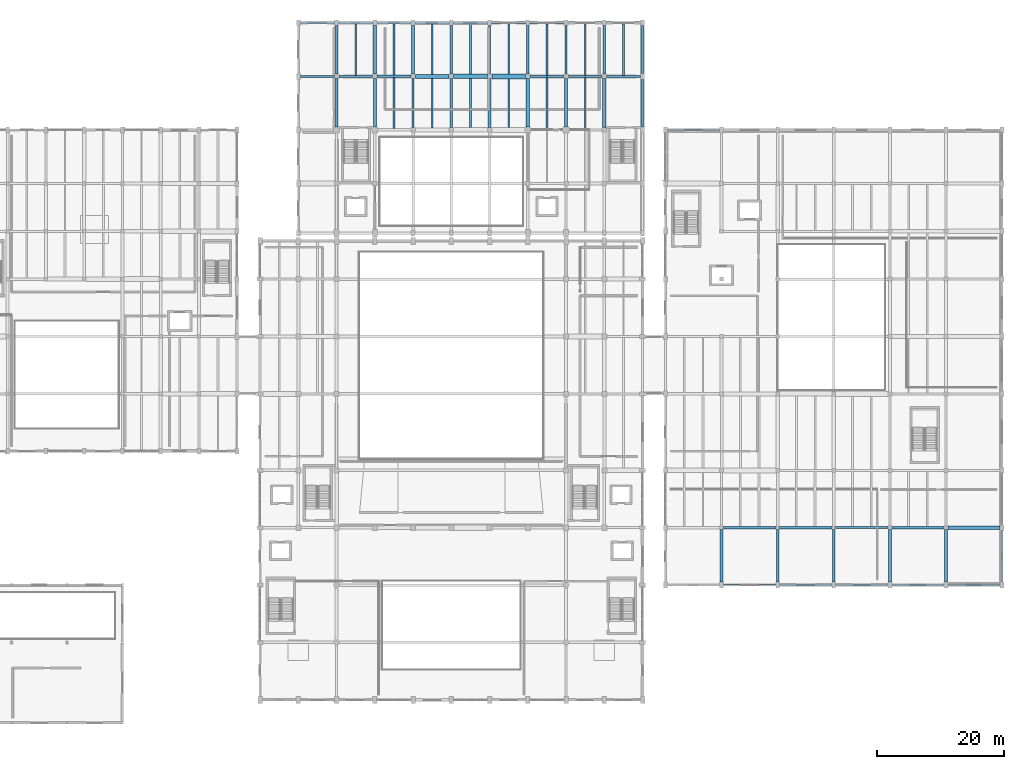
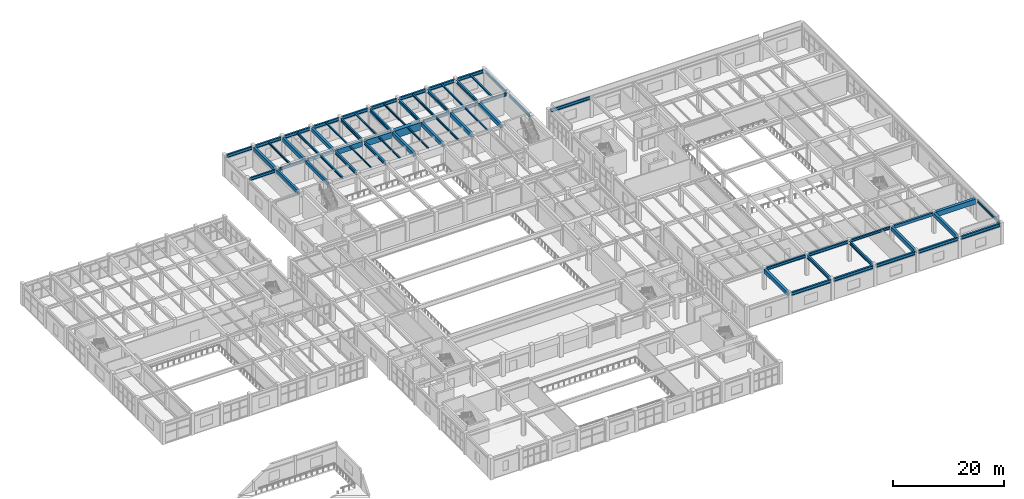
# One storey, part 52 of 96: 67 beams.
"""IFC4 building model written with IfcOpenShell, lengths in metres."""

from ifc_helpers import new_model, si_unit, direction, frame, origin, origin_2d, place, context, subcontext, project, spatial, rectangle, i_section, extrude, material, material_profile, profile_set, type_object, element, save


model = new_model("IFC4")

# Units and contexts
model_context = context("Model", 3, precision=1e-05, world=origin(), true_north=direction((0.0, 1.0)))
body_context = subcontext(model_context, "Body", "Model", "MODEL_VIEW")
ifc_project = project(units=[si_unit("LENGTHUNIT", "METRE"), si_unit("AREAUNIT", "SQUARE_METRE"), si_unit("VOLUMEUNIT", "CUBIC_METRE"), si_unit("PLANEANGLEUNIT", "RADIAN"), si_unit("MASSUNIT", "GRAM", prefix="KILO")], contexts=[model_context])

# Site, building, storey
site_placement = place(None, origin())
site = spatial("IfcSite", under=ifc_project, at=site_placement, CompositionType="ELEMENT")
building_placement = place(site_placement, origin())
building = spatial("IfcBuilding", under=site, at=building_placement, Name="Vaelkrest Opera House", CompositionType="ELEMENT")
storey_placement = place(building_placement, frame((0.0, 0.0, 5.39990234375)))
storey = spatial("IfcBuildingStorey", under=building, at=storey_placement, Name="L01", CompositionType="ELEMENT", Elevation=5.39990234375)

# Beams
ifc_material_1 = material(Name="Concrete C50/60", Category="concrete")
ifc_material_profile_1 = material_profile(ifc_material_1, rectangle(XDim=0.39990234375, YDim=0.64990234375, at=origin_2d()), Name="RCB400X650")
ifc_profile_set_1 = profile_set([ifc_material_profile_1], Name="Concrete C50/60")
beam_type_1 = type_object("IfcBeamType", Name="B01", PredefinedType="BEAM", material=ifc_profile_set_1)
beam_1_placement = place(storey_placement, frame((-11.64990234375, 42.0, 4.175048828125), z_axis=(1.0, 0.0, 0.0), x_axis=(0.0, 1.0, 0.0)))
element("IfcBeam", 1, at=beam_1_placement, inside=storey, type_object=beam_type_1, Name="Beam BM-V2-L01-0885", PredefinedType="BEAM", context=body_context, shape_type="SweptSolid", body=[
    extrude(rectangle(XDim=0.39990234375, YDim=0.64990234375, at=origin_2d()), origin(), (0.0, 0.0, 1.0), 5.2998046875),
])
beam_2_placement = place(storey_placement, frame((69.10009765625, -28.800048828125, 4.175048828125), z_axis=(1.0, 0.0, 0.0), x_axis=(0.0, 1.0, 0.0)))
element("IfcBeam", 2, at=beam_2_placement, inside=storey, type_object=beam_type_1, Name="Beam BM-V4-L01-2125", PredefinedType="BEAM", context=body_context, shape_type="SweptSolid", body=[
    extrude(rectangle(XDim=0.39990234375, YDim=0.64990234375, at=origin_2d()), origin(), (0.0, 0.0, 1.0), 8.199951171875),
])
ifc_material_profile_2 = material_profile(ifc_material_1, rectangle(XDim=0.449951171875, YDim=0.75, at=origin_2d()), Name="RCB450X750")
ifc_profile_set_2 = profile_set([ifc_material_profile_2], Name="Concrete C50/60")
beam_type_2 = type_object("IfcBeamType", Name="B02", PredefinedType="BEAM", material=ifc_profile_set_2)
for number, where, z_axis, x_axis, name in (
    (3, (-18.0, 34.050048828125, 4.125), (0.0, 1.0, 0.0), (-1.0, 0.0, 0.0), "Beam BM-V2-L01-0907"),
    (4, (-12.0, 34.050048828125, 4.125), (0.0, 1.0, 0.0), (-1.0, 0.0, 0.0), "Beam BM-V2-L01-0911"),
    (5, (-6.0, 42.35009765625, 4.125), (0.0, 1.0, 0.0), (-1.0, 0.0, 0.0), "Beam BM-V2-L01-0915"),
):
    element("IfcBeam", number, at=place(storey_placement, frame(where, z_axis=z_axis, x_axis=x_axis)), inside=storey, type_object=beam_type_2, Name=name, PredefinedType="BEAM", context=body_context, shape_type="SweptSolid", body=[
        extrude(rectangle(XDim=0.449951171875, YDim=0.75, at=origin_2d()), origin(), (0.0, 0.0, 1.0), 7.599853515625),
    ])
ifc_material_profile_3 = material_profile(ifc_material_1, rectangle(XDim=0.5, YDim=0.85009765625, at=origin_2d()), Name="RCB500X850")
ifc_profile_set_3 = profile_set([ifc_material_profile_3], Name="Concrete C50/60")
beam_type_3 = type_object("IfcBeamType", Name="B03", PredefinedType="BEAM", material=ifc_profile_set_3)
for number, where, z_axis, x_axis, name in (
    (6, (-18.0, 42.35009765625, 4.0751953125), (0.0, 1.0, 0.0), (-1.0, 0.0, 0.0), "Beam BM-V2-L01-0908"),
    (7, (-12.0, 42.35009765625, 4.0751953125), (0.0, 1.0, 0.0), (-1.0, 0.0, 0.0), "Beam BM-V2-L01-0912"),
):
    element("IfcBeam", number, at=place(storey_placement, frame(where, z_axis=z_axis, x_axis=x_axis)), inside=storey, type_object=beam_type_3, Name=name, PredefinedType="BEAM", context=body_context, shape_type="SweptSolid", body=[
        extrude(rectangle(XDim=0.5, YDim=0.85009765625, at=origin_2d()), origin(), (0.0, 0.0, 1.0), 7.599853515625),
    ])
beam_3_placement = place(storey_placement, frame((6.0, 33.949951171875, 4.0751953125), z_axis=(0.0, 1.0, 0.0), x_axis=(-1.0, 0.0, 0.0)))
element("IfcBeam", 8, at=beam_3_placement, inside=storey, type_object=beam_type_3, Name="Beam BM-V2-L01-0920", PredefinedType="BEAM", context=body_context, shape_type="SweptSolid", body=[
    extrude(rectangle(XDim=0.5, YDim=0.85009765625, at=origin_2d()), origin(), (0.0, 0.0, 1.0), 7.699951171875),
])
for number, where, z_axis, x_axis, name in (
    (9, (12.0, 34.050048828125, 4.0751953125), (0.0, 1.0, 0.0), (-1.0, 0.0, 0.0), "Beam BM-V2-L01-0924"),
    (10, (18.0, 34.050048828125, 4.0751953125), (0.0, 1.0, 0.0), (-1.0, 0.0, 0.0), "Beam BM-V2-L01-0928"),
):
    element("IfcBeam", number, at=place(storey_placement, frame(where, z_axis=z_axis, x_axis=x_axis)), inside=storey, type_object=beam_type_3, Name=name, PredefinedType="BEAM", context=body_context, shape_type="SweptSolid", body=[
        extrude(rectangle(XDim=0.5, YDim=0.85009765625, at=origin_2d()), origin(), (0.0, 0.0, 1.0), 7.599853515625),
    ])
beam_4_placement = place(storey_placement, frame((24.0, 33.949951171875, 4.0751953125), z_axis=(0.0, 1.0, 0.0), x_axis=(-1.0, 0.0, 0.0)))
element("IfcBeam", 11, at=beam_4_placement, inside=storey, type_object=beam_type_3, Name="Beam BM-V2-L01-0932", PredefinedType="BEAM", context=body_context, shape_type="SweptSolid", body=[
    extrude(rectangle(XDim=0.5, YDim=0.85009765625, at=origin_2d()), origin(), (0.0, 0.0, 1.0), 7.699951171875),
])
for number, where, z_axis, x_axis, name in (
    (12, (42.39990234375, -37.35009765625, 4.080078125), (0.0, 1.0, 0.0), (-1.0, 0.0, 0.0), "Beam BM-V4-L01-2172"),
    (13, (68.800048828125, -37.35009765625, 4.080078125), (0.0, 1.0, 0.0), (-1.0, 0.0, 0.0), "Beam BM-V4-L01-2192"),
    (14, (77.60009765625, -37.35009765625, 4.080078125), (0.0, 1.0, 0.0), (-1.0, 0.0, 0.0), "Beam BM-V4-L01-2200"),
):
    element("IfcBeam", number, at=place(storey_placement, frame(where, z_axis=z_axis, x_axis=x_axis)), inside=storey, type_object=beam_type_3, Name=name, PredefinedType="BEAM", context=body_context, shape_type="SweptSolid", body=[
        extrude(rectangle(XDim=0.5, YDim=0.85009765625, at=origin_2d()), origin(), (0.0, 0.0, 1.0), 8.25),
    ])
ifc_material_profile_4 = material_profile(ifc_material_1, rectangle(XDim=0.60009765625, YDim=1.10009765625, at=origin_2d()), Name="RCB600X1100")
ifc_profile_set_4 = profile_set([ifc_material_profile_4], Name="Concrete C50/60")
beam_type_4 = type_object("IfcBeamType", Name="B05", PredefinedType="BEAM", material=ifc_profile_set_4)
beam_5_placement = place(storey_placement, frame((-5.64990234375, 42.0, 3.9501953125), z_axis=(1.0, 0.0, 0.0), x_axis=(0.0, 1.0, 0.0)))
element("IfcBeam", 15, at=beam_5_placement, inside=storey, type_object=beam_type_4, Name="Beam BM-V2-L01-0886", PredefinedType="BEAM", context=body_context, shape_type="SweptSolid", body=[
    extrude(rectangle(XDim=0.60009765625, YDim=1.10009765625, at=origin_2d()), origin(), (0.0, 0.0, 1.0), 5.2998046875),
])
beam_6_placement = place(storey_placement, frame((77.89990234375, -28.800048828125, 3.955078125), z_axis=(1.0, 0.0, 0.0), x_axis=(0.0, 1.0, 0.0)))
element("IfcBeam", 16, at=beam_6_placement, inside=storey, type_object=beam_type_4, Name="Beam BM-V4-L01-2126", PredefinedType="BEAM", context=body_context, shape_type="SweptSolid", body=[
    extrude(rectangle(XDim=0.60009765625, YDim=1.10009765625, at=origin_2d()), origin(), (0.0, 0.0, 1.0), 8.2001953125),
])
ifc_material_profile_5 = material_profile(ifc_material_1, rectangle(XDim=0.699951171875, YDim=1.35009765625, at=origin_2d()), Name="RCB700X1350")
ifc_profile_set_5 = profile_set([ifc_material_profile_5], Name="Concrete C50/60")
beam_type_5 = type_object("IfcBeamType", Name="B06", PredefinedType="BEAM", material=ifc_profile_set_5)
beam_7_placement = place(storey_placement, frame((0.35009765625, 42.0, 3.8251953125), z_axis=(1.0, 0.0, 0.0), x_axis=(0.0, 1.0, 0.0)))
element("IfcBeam", 17, at=beam_7_placement, inside=storey, type_object=beam_type_5, Name="Beam BM-V2-L01-0887", PredefinedType="BEAM", context=body_context, shape_type="SweptSolid", body=[
    extrude(rectangle(XDim=0.699951171875, YDim=1.35009765625, at=origin_2d()), origin(), (0.0, 0.0, 1.0), 5.2998046875),
])
ifc_material_profile_6 = material_profile(ifc_material_1, rectangle(XDim=0.800048828125, YDim=1.64990234375, at=origin_2d()), Name="RCB800X1650")
ifc_profile_set_6 = profile_set([ifc_material_profile_6], Name="Concrete C50/60")
beam_type_6 = type_object("IfcBeamType", Name="B07", PredefinedType="BEAM", material=ifc_profile_set_6)
beam_8_placement = place(storey_placement, frame((6.35009765625, 42.0, 3.675048828125), z_axis=(1.0, 0.0, 0.0), x_axis=(0.0, 1.0, 0.0)))
element("IfcBeam", 18, at=beam_8_placement, inside=storey, type_object=beam_type_6, Name="Beam BM-V2-L01-0888", PredefinedType="BEAM", context=body_context, shape_type="SweptSolid", body=[
    extrude(rectangle(XDim=0.800048828125, YDim=1.64990234375, at=origin_2d()), origin(), (0.0, 0.0, 1.0), 5.2998046875),
])
ifc_material_2 = material(Name="Steel A992 Gr50", Category="steel")
ifc_material_profile_7 = material_profile(ifc_material_2, i_section(OverallWidth=0.323974609375, OverallDepth=0.611083984375, WebThickness=0.0126953125, FlangeThickness=0.01904296875, at=origin_2d()), Name="W24X104")
ifc_profile_set_7 = profile_set([ifc_material_profile_7], Name="Steel A992 Gr50")
beam_type_7 = type_object("IfcBeamType", Name="B08", PredefinedType="BEAM", material=ifc_profile_set_7)
beam_9_placement = place(storey_placement, frame((12.35009765625, 42.0, 4.194580078125), z_axis=(1.0, 0.0, 0.0), x_axis=(0.0, 1.0, 0.0)))
element("IfcBeam", 19, at=beam_9_placement, inside=storey, type_object=beam_type_7, Name="Beam BM-V2-L01-0889", PredefinedType="BEAM", context=body_context, shape_type="SweptSolid", body=[
    extrude(i_section(OverallWidth=0.323974609375, OverallDepth=0.611083984375, WebThickness=0.0126953125, FlangeThickness=0.01904296875, at=origin_2d()), origin(), (0.0, 0.0, 1.0), 5.2998046875),
])
ifc_material_profile_8 = material_profile(ifc_material_2, i_section(OverallWidth=0.327880859375, OverallDepth=0.6279296875, WebThickness=0.0166015625, FlangeThickness=0.027587890625, at=origin_2d()), Name="W24X146")
ifc_profile_set_8 = profile_set([ifc_material_profile_8], Name="Steel A992 Gr50")
beam_type_8 = type_object("IfcBeamType", Name="B09", PredefinedType="BEAM", material=ifc_profile_set_8)
beam_10_placement = place(storey_placement, frame((18.35009765625, 42.0, 4.18603515625), z_axis=(1.0, 0.0, 0.0), x_axis=(0.0, 1.0, 0.0)))
element("IfcBeam", 20, at=beam_10_placement, inside=storey, type_object=beam_type_8, Name="Beam BM-V2-L01-0890", PredefinedType="BEAM", context=body_context, shape_type="SweptSolid", body=[
    extrude(i_section(OverallWidth=0.327880859375, OverallDepth=0.6279296875, WebThickness=0.0166015625, FlangeThickness=0.027587890625, at=origin_2d()), origin(), (0.0, 0.0, 1.0), 5.2998046875),
])
beam_11_placement = place(storey_placement, frame((42.699951171875, -28.800048828125, 4.18603515625), z_axis=(1.0, 0.0, 0.0), x_axis=(0.0, 1.0, 0.0)))
element("IfcBeam", 21, at=beam_11_placement, inside=storey, type_object=beam_type_8, Name="Beam BM-V4-L01-2122", PredefinedType="BEAM", context=body_context, shape_type="SweptSolid", body=[
    extrude(i_section(OverallWidth=0.327880859375, OverallDepth=0.6279296875, WebThickness=0.0166015625, FlangeThickness=0.027587890625, at=origin_2d()), origin(), (0.0, 0.0, 1.0), 8.199951171875),
])
ifc_material_profile_9 = material_profile(ifc_material_2, i_section(OverallWidth=0.35498046875, OverallDepth=0.695068359375, WebThickness=0.015380859375, FlangeThickness=0.02490234375, at=origin_2d()), Name="W27X146")
ifc_profile_set_9 = profile_set([ifc_material_profile_9], Name="Steel A992 Gr50")
beam_type_9 = type_object("IfcBeamType", Name="B10", PredefinedType="BEAM", material=ifc_profile_set_9)
beam_12_placement = place(storey_placement, frame((0.0, 33.949951171875, 4.152587890625), z_axis=(0.0, 1.0, 0.0), x_axis=(-1.0, 0.0, 0.0)))
element("IfcBeam", 22, at=beam_12_placement, inside=storey, type_object=beam_type_9, Name="Beam BM-V2-L01-0917", PredefinedType="BEAM", context=body_context, shape_type="SweptSolid", body=[
    extrude(i_section(OverallWidth=0.35498046875, OverallDepth=0.695068359375, WebThickness=0.015380859375, FlangeThickness=0.02490234375, at=origin_2d()), origin(), (0.0, 0.0, 1.0), 7.699951171875),
])
for number, where, z_axis, x_axis, name in (
    (23, (6.0, 42.35009765625, 4.152587890625), (0.0, 1.0, 0.0), (-1.0, 0.0, 0.0), "Beam BM-V2-L01-0921"),
    (24, (12.0, 42.35009765625, 4.152587890625), (0.0, 1.0, 0.0), (-1.0, 0.0, 0.0), "Beam BM-V2-L01-0925"),
    (25, (18.0, 42.35009765625, 4.152587890625), (0.0, 1.0, 0.0), (-1.0, 0.0, 0.0), "Beam BM-V2-L01-0929"),
    (26, (24.0, 42.35009765625, 4.152587890625), (0.0, 1.0, 0.0), (-1.0, 0.0, 0.0), "Beam BM-V2-L01-0933"),
):
    element("IfcBeam", number, at=place(storey_placement, frame(where, z_axis=z_axis, x_axis=x_axis)), inside=storey, type_object=beam_type_9, Name=name, PredefinedType="BEAM", context=body_context, shape_type="SweptSolid", body=[
        extrude(i_section(OverallWidth=0.35498046875, OverallDepth=0.695068359375, WebThickness=0.015380859375, FlangeThickness=0.02490234375, at=origin_2d()), origin(), (0.0, 0.0, 1.0), 7.599853515625),
    ])
ifc_material_profile_10 = material_profile(ifc_material_2, i_section(OverallWidth=0.35791015625, OverallDepth=0.7060546875, WebThickness=0.018310546875, FlangeThickness=0.0302734375, at=origin_2d()), Name="W27X178")
ifc_profile_set_10 = profile_set([ifc_material_profile_10], Name="Steel A992 Gr50")
beam_type_10 = type_object("IfcBeamType", Name="B14", PredefinedType="BEAM", material=ifc_profile_set_10)
beam_13_placement = place(storey_placement, frame((-6.0, 33.949951171875, 4.147216796875), z_axis=(0.0, 1.0, 0.0), x_axis=(-1.0, 0.0, 0.0)))
element("IfcBeam", 27, at=beam_13_placement, inside=storey, type_object=beam_type_10, Name="Beam BM-V2-L01-0914", PredefinedType="BEAM", context=body_context, shape_type="SweptSolid", body=[
    extrude(i_section(OverallWidth=0.35791015625, OverallDepth=0.7060546875, WebThickness=0.018310546875, FlangeThickness=0.0302734375, at=origin_2d()), origin(), (0.0, 0.0, 1.0), 7.699951171875),
])
beam_14_placement = place(storey_placement, frame((0.0, 42.35009765625, 4.147216796875), z_axis=(0.0, 1.0, 0.0), x_axis=(-1.0, 0.0, 0.0)))
element("IfcBeam", 28, at=beam_14_placement, inside=storey, type_object=beam_type_10, Name="Beam BM-V2-L01-0918", PredefinedType="BEAM", context=body_context, shape_type="SweptSolid", body=[
    extrude(i_section(OverallWidth=0.35791015625, OverallDepth=0.7060546875, WebThickness=0.018310546875, FlangeThickness=0.0302734375, at=origin_2d()), origin(), (0.0, 0.0, 1.0), 7.599853515625),
])
for number, where, z_axis, x_axis, name in (
    (29, (51.199951171875, -37.35009765625, 4.152099609375), (0.0, 1.0, 0.0), (-1.0, 0.0, 0.0), "Beam BM-V4-L01-2178"),
    (30, (60.0, -37.35009765625, 4.152099609375), (0.0, 1.0, 0.0), (-1.0, 0.0, 0.0), "Beam BM-V4-L01-2186"),
):
    element("IfcBeam", number, at=place(storey_placement, frame(where, z_axis=z_axis, x_axis=x_axis)), inside=storey, type_object=beam_type_10, Name=name, PredefinedType="BEAM", context=body_context, shape_type="SweptSolid", body=[
        extrude(i_section(OverallWidth=0.35791015625, OverallDepth=0.7060546875, WebThickness=0.018310546875, FlangeThickness=0.0302734375, at=origin_2d()), origin(), (0.0, 0.0, 1.0), 8.25),
    ])
ifc_material_profile_11 = material_profile(ifc_material_2, i_section(OverallWidth=0.326904296875, OverallDepth=0.6220703125, WebThickness=0.015380859375, FlangeThickness=0.0244140625, at=origin_2d()), Name="W24X131")
ifc_profile_set_11 = profile_set([ifc_material_profile_11], Name="Steel A992 Gr50")
beam_type_11 = type_object("IfcBeamType", Name="B19", PredefinedType="BEAM", material=ifc_profile_set_11)
for number, where, z_axis, x_axis, name in (
    (31, (-23.699951171875, 42.0, 4.189208984375), (1.0, 0.0, 0.0), (0.0, 1.0, 0.0), "Beam BM-V2-L01-0883"),
    (32, (24.35009765625, 42.0, 4.189208984375), (1.0, 0.0, 0.0), (0.0, 1.0, 0.0), "Beam BM-V2-L01-0891"),
):
    element("IfcBeam", number, at=place(storey_placement, frame(where, z_axis=z_axis, x_axis=x_axis)), inside=storey, type_object=beam_type_11, Name=name, PredefinedType="BEAM", context=body_context, shape_type="SweptSolid", body=[
        extrude(i_section(OverallWidth=0.326904296875, OverallDepth=0.6220703125, WebThickness=0.015380859375, FlangeThickness=0.0244140625, at=origin_2d()), origin(), (0.0, 0.0, 1.0), 5.349853515625),
    ])
beam_15_placement = place(storey_placement, frame((51.5, -28.800048828125, 4.189208984375), z_axis=(1.0, 0.0, 0.0), x_axis=(0.0, 1.0, 0.0)))
element("IfcBeam", 33, at=beam_15_placement, inside=storey, type_object=beam_type_11, Name="Beam BM-V4-L01-2123", PredefinedType="BEAM", context=body_context, shape_type="SweptSolid", body=[
    extrude(i_section(OverallWidth=0.326904296875, OverallDepth=0.6220703125, WebThickness=0.015380859375, FlangeThickness=0.0244140625, at=origin_2d()), origin(), (0.0, 0.0, 1.0), 8.199951171875),
])
ifc_material_profile_12 = material_profile(ifc_material_2, i_section(OverallWidth=0.31494140625, OverallDepth=0.551025390625, WebThickness=0.01513671875, FlangeThickness=0.0244140625, at=origin_2d()), Name="W21X122")
ifc_profile_set_12 = profile_set([ifc_material_profile_12], Name="Steel A992 Gr50")
beam_type_12 = type_object("IfcBeamType", Name="B20", PredefinedType="BEAM", material=ifc_profile_set_12)
beam_16_placement = place(storey_placement, frame((-17.64990234375, 42.0, 4.224609375), z_axis=(1.0, 0.0, 0.0), x_axis=(0.0, 1.0, 0.0)))
element("IfcBeam", 34, at=beam_16_placement, inside=storey, type_object=beam_type_12, Name="Beam BM-V2-L01-0884", PredefinedType="BEAM", context=body_context, shape_type="SweptSolid", body=[
    extrude(i_section(OverallWidth=0.31494140625, OverallDepth=0.551025390625, WebThickness=0.01513671875, FlangeThickness=0.0244140625, at=origin_2d()), origin(), (0.0, 0.0, 1.0), 5.2998046875),
])
beam_17_placement = place(storey_placement, frame((60.300048828125, -28.800048828125, 4.224609375), z_axis=(1.0, 0.0, 0.0), x_axis=(0.0, 1.0, 0.0)))
element("IfcBeam", 35, at=beam_17_placement, inside=storey, type_object=beam_type_12, Name="Beam BM-V4-L01-2124", PredefinedType="BEAM", context=body_context, shape_type="SweptSolid", body=[
    extrude(i_section(OverallWidth=0.31494140625, OverallDepth=0.551025390625, WebThickness=0.01513671875, FlangeThickness=0.0244140625, at=origin_2d()), origin(), (0.0, 0.0, 1.0), 8.199951171875),
])
ifc_material_profile_13 = material_profile(ifc_material_2, i_section(OverallWidth=0.2041015625, OverallDepth=0.257080078125, WebThickness=0.0087890625, FlangeThickness=0.015625, at=origin_2d()), Name="W10X45")
ifc_profile_set_13 = profile_set([ifc_material_profile_13], Name="Steel A992 Gr50")
beam_type_13 = type_object("IfcBeamType", Name="J01", PredefinedType="JOIST", material=ifc_profile_set_13)
beam_18_placement = place(storey_placement, frame((-3.0, 33.89990234375, 4.37158203125), z_axis=(0.0, 1.0, 0.0), x_axis=(-1.0, 0.0, 0.0)))
element("IfcBeam", 36, at=beam_18_placement, inside=storey, type_object=beam_type_13, Name="Floor joist JST-V2-L01-0941", PredefinedType="JOIST", context=body_context, shape_type="SweptSolid", body=[
    extrude(i_section(OverallWidth=0.2041015625, OverallDepth=0.257080078125, WebThickness=0.0087890625, FlangeThickness=0.015625, at=origin_2d()), origin(), (0.0, 0.0, 1.0), 7.800048828125),
])
ifc_material_profile_14 = material_profile(ifc_material_2, i_section(OverallWidth=0.202880859375, OverallDepth=0.302978515625, WebThickness=0.007568359375, FlangeThickness=0.01318359375, at=origin_2d()), Name="W12X40")
ifc_profile_set_14 = profile_set([ifc_material_profile_14], Name="Steel A992 Gr50")
beam_type_14 = type_object("IfcBeamType", Name="J02", PredefinedType="JOIST", material=ifc_profile_set_14)
beam_19_placement = place(storey_placement, frame((-3.0, 42.300048828125, 4.3486328125), z_axis=(0.0, 1.0, 0.0), x_axis=(-1.0, 0.0, 0.0)))
element("IfcBeam", 37, at=beam_19_placement, inside=storey, type_object=beam_type_14, Name="Floor joist JST-V2-L01-0942", PredefinedType="JOIST", context=body_context, shape_type="SweptSolid", body=[
    extrude(i_section(OverallWidth=0.202880859375, OverallDepth=0.302978515625, WebThickness=0.007568359375, FlangeThickness=0.01318359375, at=origin_2d()), origin(), (0.0, 0.0, 1.0), 7.92236328125),
])
beam_20_placement = place(storey_placement, frame((21.0, 33.763916015625, 4.3486328125), z_axis=(0.0, 1.0, 0.0), x_axis=(-1.0, 0.0, 0.0)))
element("IfcBeam", 38, at=beam_20_placement, inside=storey, type_object=beam_type_14, Name="Floor joist JST-V2-L01-0952", PredefinedType="JOIST", context=body_context, shape_type="SweptSolid", body=[
    extrude(i_section(OverallWidth=0.202880859375, OverallDepth=0.302978515625, WebThickness=0.007568359375, FlangeThickness=0.01318359375, at=origin_2d()), origin(), (0.0, 0.0, 1.0), 8.072021484375),
])
ifc_material_profile_15 = material_profile(ifc_material_2, i_section(OverallWidth=0.25390625, OverallDepth=0.305908203125, WebThickness=0.0087890625, FlangeThickness=0.0146484375, at=origin_2d()), Name="W12X53")
ifc_profile_set_15 = profile_set([ifc_material_profile_15], Name="Steel A992 Gr50")
beam_type_15 = type_object("IfcBeamType", Name="J03", PredefinedType="JOIST", material=ifc_profile_set_15)
beam_21_placement = place(storey_placement, frame((3.0, 33.949951171875, 4.34716796875), z_axis=(0.0, 1.0, 0.0), x_axis=(-1.0, 0.0, 0.0)))
element("IfcBeam", 39, at=beam_21_placement, inside=storey, type_object=beam_type_15, Name="Floor joist JST-V2-L01-0943", PredefinedType="JOIST", context=body_context, shape_type="SweptSolid", body=[
    extrude(i_section(OverallWidth=0.25390625, OverallDepth=0.305908203125, WebThickness=0.0087890625, FlangeThickness=0.0146484375, at=origin_2d()), origin(), (0.0, 0.0, 1.0), 7.699951171875),
])
beam_22_placement = place(storey_placement, frame((21.0, 42.1640625, 4.34716796875), z_axis=(0.0, 1.0, 0.0), x_axis=(-1.0, 0.0, 0.0)))
element("IfcBeam", 40, at=beam_22_placement, inside=storey, type_object=beam_type_15, Name="Floor joist JST-V2-L01-0953", PredefinedType="JOIST", context=body_context, shape_type="SweptSolid", body=[
    extrude(i_section(OverallWidth=0.25390625, OverallDepth=0.305908203125, WebThickness=0.0087890625, FlangeThickness=0.0146484375, at=origin_2d()), origin(), (0.0, 0.0, 1.0), 8.058349609375),
])
ifc_material_profile_16 = material_profile(ifc_material_2, i_section(OverallWidth=0.304931640625, OverallDepth=0.30810546875, WebThickness=0.010009765625, FlangeThickness=0.015380859375, at=origin_2d()), Name="W12X65")
ifc_profile_set_16 = profile_set([ifc_material_profile_16], Name="Steel A992 Gr50")
beam_type_16 = type_object("IfcBeamType", Name="J04", PredefinedType="JOIST", material=ifc_profile_set_16)
beam_23_placement = place(storey_placement, frame((3.0, 42.35009765625, 4.34619140625), z_axis=(0.0, 1.0, 0.0), x_axis=(-1.0, 0.0, 0.0)))
element("IfcBeam", 41, at=beam_23_placement, inside=storey, type_object=beam_type_16, Name="Floor joist JST-V2-L01-0944", PredefinedType="JOIST", context=body_context, shape_type="SweptSolid", body=[
    extrude(i_section(OverallWidth=0.304931640625, OverallDepth=0.30810546875, WebThickness=0.010009765625, FlangeThickness=0.015380859375, at=origin_2d()), origin(), (0.0, 0.0, 1.0), 7.872314453125),
])
beam_24_placement = place(storey_placement, frame((27.0, 42.16357421875, 4.34619140625), z_axis=(0.0, 1.0, 0.0), x_axis=(-1.0, 0.0, 0.0)))
element("IfcBeam", 42, at=beam_24_placement, inside=storey, type_object=beam_type_16, Name="Floor joist JST-V2-L01-0954", PredefinedType="JOIST", context=body_context, shape_type="SweptSolid", body=[
    extrude(i_section(OverallWidth=0.304931640625, OverallDepth=0.30810546875, WebThickness=0.010009765625, FlangeThickness=0.015380859375, at=origin_2d()), origin(), (0.0, 0.0, 1.0), 8.058837890625),
])
ifc_material_profile_17 = material_profile(ifc_material_2, i_section(OverallWidth=0.2548828125, OverallDepth=0.35693359375, WebThickness=0.010498046875, FlangeThickness=0.018310546875, at=origin_2d()), Name="W14X68")
ifc_profile_set_17 = profile_set([ifc_material_profile_17], Name="Steel A992 Gr50")
beam_type_17 = type_object("IfcBeamType", Name="J05", PredefinedType="JOIST", material=ifc_profile_set_17)
beam_25_placement = place(storey_placement, frame((9.0, 34.0, 4.321533203125), z_axis=(0.0, 1.0, 0.0), x_axis=(-1.0, 0.0, 0.0)))
element("IfcBeam", 43, at=beam_25_placement, inside=storey, type_object=beam_type_17, Name="Floor joist JST-V2-L01-0945", PredefinedType="JOIST", context=body_context, shape_type="SweptSolid", body=[
    extrude(i_section(OverallWidth=0.2548828125, OverallDepth=0.35693359375, WebThickness=0.010498046875, FlangeThickness=0.018310546875, at=origin_2d()), origin(), (0.0, 0.0, 1.0), 7.60009765625),
])
ifc_material_profile_18 = material_profile(ifc_material_2, i_section(OverallWidth=0.257080078125, OverallDepth=0.363037109375, WebThickness=0.012939453125, FlangeThickness=0.021728515625, at=origin_2d()), Name="W14X82")
ifc_profile_set_18 = profile_set([ifc_material_profile_18], Name="Steel A992 Gr50")
beam_type_18 = type_object("IfcBeamType", Name="J06", PredefinedType="JOIST", material=ifc_profile_set_18)
beam_26_placement = place(storey_placement, frame((9.0, 42.39990234375, 4.318603515625), z_axis=(0.0, 1.0, 0.0), x_axis=(-1.0, 0.0, 0.0)))
element("IfcBeam", 44, at=beam_26_placement, inside=storey, type_object=beam_type_18, Name="Floor joist JST-V2-L01-0946", PredefinedType="JOIST", context=body_context, shape_type="SweptSolid", body=[
    extrude(i_section(OverallWidth=0.257080078125, OverallDepth=0.363037109375, WebThickness=0.012939453125, FlangeThickness=0.021728515625, at=origin_2d()), origin(), (0.0, 0.0, 1.0), 7.822509765625),
])
ifc_material_profile_19 = material_profile(ifc_material_2, i_section(OverallWidth=0.261962890625, OverallDepth=0.4189453125, WebThickness=0.01171875, FlangeThickness=0.019287109375, at=origin_2d()), Name="W16X77")
ifc_profile_set_19 = profile_set([ifc_material_profile_19], Name="Steel A992 Gr50")
beam_type_19 = type_object("IfcBeamType", Name="J08", PredefinedType="JOIST", material=ifc_profile_set_19)
beam_27_placement = place(storey_placement, frame((-15.0, 42.157470703125, 4.29052734375), z_axis=(0.0, 1.0, 0.0), x_axis=(-1.0, 0.0, 0.0)))
element("IfcBeam", 45, at=beam_27_placement, inside=storey, type_object=beam_type_19, Name="Floor joist JST-V2-L01-0938", PredefinedType="JOIST", context=body_context, shape_type="SweptSolid", body=[
    extrude(i_section(OverallWidth=0.261962890625, OverallDepth=0.4189453125, WebThickness=0.01171875, FlangeThickness=0.019287109375, at=origin_2d()), origin(), (0.0, 0.0, 1.0), 8.06494140625),
])
beam_28_placement = place(storey_placement, frame((15.0, 33.761962890625, 4.29052734375), z_axis=(0.0, 1.0, 0.0), x_axis=(-1.0, 0.0, 0.0)))
element("IfcBeam", 46, at=beam_28_placement, inside=storey, type_object=beam_type_19, Name="Floor joist JST-V2-L01-0948", PredefinedType="JOIST", context=body_context, shape_type="SweptSolid", body=[
    extrude(i_section(OverallWidth=0.261962890625, OverallDepth=0.4189453125, WebThickness=0.01171875, FlangeThickness=0.019287109375, at=origin_2d()), origin(), (0.0, 0.0, 1.0), 8.075927734375),
])
ifc_material_profile_20 = material_profile(ifc_material_2, i_section(OverallWidth=0.280029296875, OverallDepth=0.462890625, WebThickness=0.0107421875, FlangeThickness=0.017333984375, at=origin_2d()), Name="W18X76")
ifc_profile_set_20 = profile_set([ifc_material_profile_20], Name="Steel A992 Gr50")
beam_type_20 = type_object("IfcBeamType", Name="J09", PredefinedType="JOIST", material=ifc_profile_set_20)
beam_29_placement = place(storey_placement, frame((-9.0, 33.800048828125, 4.2685546875), z_axis=(0.0, 1.0, 0.0), x_axis=(-1.0, 0.0, 0.0)))
element("IfcBeam", 47, at=beam_29_placement, inside=storey, type_object=beam_type_20, Name="Floor joist JST-V2-L01-0939", PredefinedType="JOIST", context=body_context, shape_type="SweptSolid", body=[
    extrude(i_section(OverallWidth=0.280029296875, OverallDepth=0.462890625, WebThickness=0.0107421875, FlangeThickness=0.017333984375, at=origin_2d()), origin(), (0.0, 0.0, 1.0), 8.0),
])
beam_30_placement = place(storey_placement, frame((15.0, 42.162109375, 4.2685546875), z_axis=(0.0, 1.0, 0.0), x_axis=(-1.0, 0.0, 0.0)))
element("IfcBeam", 48, at=beam_30_placement, inside=storey, type_object=beam_type_20, Name="Floor joist JST-V2-L01-0949", PredefinedType="JOIST", context=body_context, shape_type="SweptSolid", body=[
    extrude(i_section(OverallWidth=0.280029296875, OverallDepth=0.462890625, WebThickness=0.0107421875, FlangeThickness=0.017333984375, at=origin_2d()), origin(), (0.0, 0.0, 1.0), 8.060302734375),
])
ifc_material_profile_21 = material_profile(ifc_material_2, i_section(OverallWidth=0.282958984375, OverallDepth=0.471923828125, WebThickness=0.013671875, FlangeThickness=0.022216796875, at=origin_2d()), Name="W18X97")
ifc_profile_set_21 = profile_set([ifc_material_profile_21], Name="Steel A992 Gr50")
beam_type_21 = type_object("IfcBeamType", Name="J10", PredefinedType="JOIST", material=ifc_profile_set_21)
beam_31_placement = place(storey_placement, frame((-9.0, 42.199951171875, 4.26416015625), z_axis=(0.0, 1.0, 0.0), x_axis=(-1.0, 0.0, 0.0)))
element("IfcBeam", 49, at=beam_31_placement, inside=storey, type_object=beam_type_21, Name="Floor joist JST-V2-L01-0940", PredefinedType="JOIST", context=body_context, shape_type="SweptSolid", body=[
    extrude(i_section(OverallWidth=0.282958984375, OverallDepth=0.471923828125, WebThickness=0.013671875, FlangeThickness=0.022216796875, at=origin_2d()), origin(), (0.0, 0.0, 1.0), 8.0224609375),
])
ifc_material_profile_22 = material_profile(ifc_material_2, i_section(OverallWidth=0.323974609375, OverallDepth=0.611083984375, WebThickness=0.0126953125, FlangeThickness=0.01904296875, at=origin_2d()), Name="W24X104")
ifc_profile_set_22 = profile_set([ifc_material_profile_22], Name="Steel A992 Gr50")
beam_type_22 = type_object("IfcBeamType", Name="SP01", PredefinedType="SPANDREL", material=ifc_profile_set_22)
for number, where, z_axis, x_axis, name in (
    (50, (30.0, 34.050048828125, 4.194580078125), (0.0, 1.0, 0.0), (-1.0, 0.0, 0.0), "Beam BM-V2-L01-0936"),
    (51, (30.0, 42.449951171875, 4.194580078125), (0.0, 1.0, 0.0), (-1.0, 0.0, 0.0), "Beam BM-V2-L01-0937"),
):
    element("IfcBeam", number, at=place(storey_placement, frame(where, z_axis=z_axis, x_axis=x_axis)), inside=storey, type_object=beam_type_22, Name=name, PredefinedType="SPANDREL", context=body_context, shape_type="SweptSolid", body=[
        extrude(i_section(OverallWidth=0.323974609375, OverallDepth=0.611083984375, WebThickness=0.0126953125, FlangeThickness=0.01904296875, at=origin_2d()), origin(), (0.0, 0.0, 1.0), 7.5),
    ])
beam_32_placement = place(storey_placement, frame((86.39990234375, -37.35009765625, 4.19970703125), z_axis=(0.0, 1.0, 0.0), x_axis=(-1.0, 0.0, 0.0)))
element("IfcBeam", 52, at=beam_32_placement, inside=storey, type_object=beam_type_22, Name="Beam BM-V4-L01-2208", PredefinedType="SPANDREL", context=body_context, shape_type="SweptSolid", body=[
    extrude(i_section(OverallWidth=0.323974609375, OverallDepth=0.611083984375, WebThickness=0.0126953125, FlangeThickness=0.01904296875, at=origin_2d()), origin(), (0.0, 0.0, 1.0), 8.10009765625),
])
ifc_material_profile_23 = material_profile(ifc_material_2, i_section(OverallWidth=0.35498046875, OverallDepth=0.695068359375, WebThickness=0.015380859375, FlangeThickness=0.02490234375, at=origin_2d()), Name="W27X146")
ifc_profile_set_23 = profile_set([ifc_material_profile_23], Name="Steel A992 Gr50")
beam_type_23 = type_object("IfcBeamType", Name="SP02", PredefinedType="SPANDREL", material=ifc_profile_set_23)
for number, where, z_axis, x_axis, name in (
    (53, (-23.699951171875, 50.39990234375, 4.152587890625), (1.0, 0.0, 0.0), (0.0, 1.0, 0.0), "Beam BM-V2-L01-0892"),
    (54, (-17.699951171875, 50.39990234375, 4.152587890625), (1.0, 0.0, 0.0), (0.0, 1.0, 0.0), "Beam BM-V2-L01-0893"),
    (55, (-11.699951171875, 50.39990234375, 4.152587890625), (1.0, 0.0, 0.0), (0.0, 1.0, 0.0), "Beam BM-V2-L01-0894"),
    (56, (-5.699951171875, 50.39990234375, 4.152587890625), (1.0, 0.0, 0.0), (0.0, 1.0, 0.0), "Beam BM-V2-L01-0895"),
    (57, (0.300048828125, 50.39990234375, 4.152587890625), (1.0, 0.0, 0.0), (0.0, 1.0, 0.0), "Beam BM-V2-L01-0896"),
    (58, (6.300048828125, 50.39990234375, 4.152587890625), (1.0, 0.0, 0.0), (0.0, 1.0, 0.0), "Beam BM-V2-L01-0897"),
    (59, (12.300048828125, 50.39990234375, 4.152587890625), (1.0, 0.0, 0.0), (0.0, 1.0, 0.0), "Beam BM-V2-L01-0898"),
    (60, (18.300048828125, 50.39990234375, 4.152587890625), (1.0, 0.0, 0.0), (0.0, 1.0, 0.0), "Beam BM-V2-L01-0899"),
    (61, (24.300048828125, 50.39990234375, 4.152587890625), (1.0, 0.0, 0.0), (0.0, 1.0, 0.0), "Beam BM-V2-L01-0900"),
):
    element("IfcBeam", number, at=place(storey_placement, frame(where, z_axis=z_axis, x_axis=x_axis)), inside=storey, type_object=beam_type_23, Name=name, PredefinedType="SPANDREL", context=body_context, shape_type="SweptSolid", body=[
        extrude(i_section(OverallWidth=0.35498046875, OverallDepth=0.695068359375, WebThickness=0.015380859375, FlangeThickness=0.02490234375, at=origin_2d()), origin(), (0.0, 0.0, 1.0), 5.39990234375),
    ])
for number, where, z_axis, x_axis, name in (
    (62, (42.699951171875, -37.800048828125, 4.15771484375), (1.0, 0.0, 0.0), (0.0, 1.0, 0.0), "Beam BM-V4-L01-2116"),
    (63, (51.5, -37.800048828125, 4.15771484375), (1.0, 0.0, 0.0), (0.0, 1.0, 0.0), "Beam BM-V4-L01-2117"),
    (64, (60.300048828125, -37.800048828125, 4.15771484375), (1.0, 0.0, 0.0), (0.0, 1.0, 0.0), "Beam BM-V4-L01-2118"),
    (65, (69.10009765625, -37.800048828125, 4.15771484375), (1.0, 0.0, 0.0), (0.0, 1.0, 0.0), "Beam BM-V4-L01-2119"),
):
    element("IfcBeam", number, at=place(storey_placement, frame(where, z_axis=z_axis, x_axis=x_axis)), inside=storey, type_object=beam_type_23, Name=name, PredefinedType="SPANDREL", context=body_context, shape_type="SweptSolid", body=[
        extrude(i_section(OverallWidth=0.35498046875, OverallDepth=0.695068359375, WebThickness=0.015380859375, FlangeThickness=0.02490234375, at=origin_2d()), origin(), (0.0, 0.0, 1.0), 8.199951171875),
    ])
for number, where, z_axis, x_axis, name in (
    (66, (77.89990234375, -37.800048828125, 4.15771484375), (1.0, 0.0, 0.0), (0.0, 1.0, 0.0), "Beam BM-V4-L01-2120"),
    (67, (33.89990234375, 33.60009765625, 4.15771484375), (1.0, 0.0, 0.0), (0.0, 1.0, 0.0), "Beam BM-V4-L01-2158"),
):
    element("IfcBeam", number, at=place(storey_placement, frame(where, z_axis=z_axis, x_axis=x_axis)), inside=storey, type_object=beam_type_23, Name=name, PredefinedType="SPANDREL", context=body_context, shape_type="SweptSolid", body=[
        extrude(i_section(OverallWidth=0.35498046875, OverallDepth=0.695068359375, WebThickness=0.015380859375, FlangeThickness=0.02490234375, at=origin_2d()), origin(), (0.0, 0.0, 1.0), 8.2001953125),
    ])

save(model, "model.ifc")
